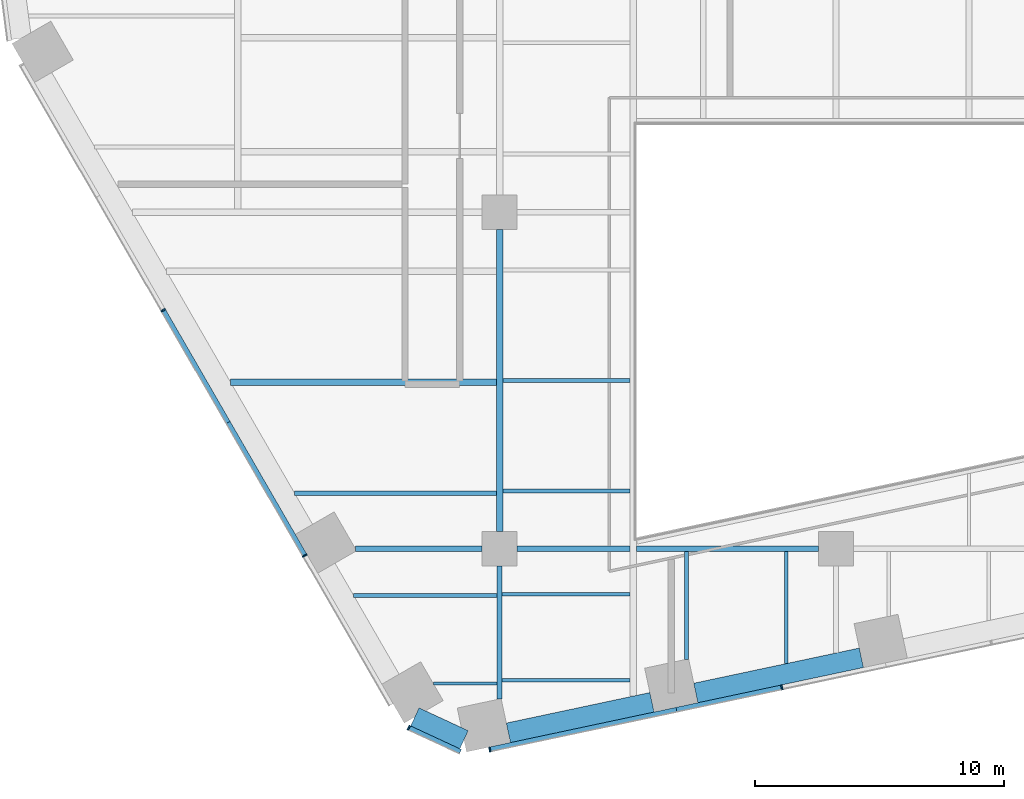
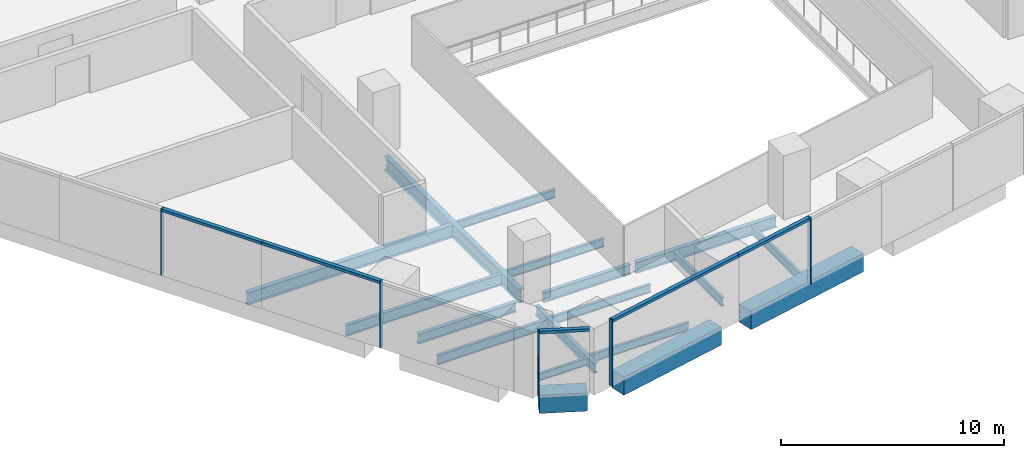
# One storey, part 2 of 20: 18 beams, 10 members, 3 elements without a shape of their own.
"""IFC4 building model written with IfcOpenShell, lengths in metres."""

from ifc_helpers import new_model, si_unit, direction, frame, origin, origin_2d, place, context, subcontext, project, spatial, rectangle, i_section, extrude, material, layer, layer_set, material_profile, profile_set, type_object, element, aggregate, save


model = new_model("IFC4")

# Units and contexts
model_context = context("Model", 3, precision=1e-05, world=origin(), true_north=direction((0.0, 1.0)))
body_context = subcontext(model_context, "Body", "Model", "MODEL_VIEW")
ifc_project = project(units=[si_unit("LENGTHUNIT", "METRE"), si_unit("AREAUNIT", "SQUARE_METRE"), si_unit("VOLUMEUNIT", "CUBIC_METRE"), si_unit("PLANEANGLEUNIT", "RADIAN"), si_unit("MASSUNIT", "GRAM", prefix="KILO")], contexts=[model_context])

# Site, building, storey
site_placement = place(None, origin())
site = spatial("IfcSite", under=ifc_project, at=site_placement, CompositionType="ELEMENT")
building_placement = place(site_placement, origin())
building = spatial("IfcBuilding", under=site, at=building_placement, Name="Isthmus Gate Tower", CompositionType="ELEMENT")
storey_placement = place(building_placement, frame((0.0, 0.0, 57.89990234375)))
storey = spatial("IfcBuildingStorey", under=building, at=storey_placement, Name="L12", CompositionType="ELEMENT", Elevation=57.89990234375)

# Curtain wall, members
ifc_material_1 = material(Name="Aluminium, pale champagne anodised", Category="aluminium")
ifc_layer = layer(ifc_material_1, 0.199951171875)
ifc_layer_set = layer_set([ifc_layer], Name="CW-1 UNITISED CURTAIN WALL 200 DEEP")
curtain_wall_type = type_object("IfcCurtainWallType", Name="CW-1 UNITISED CURTAIN WALL 200 DEEP", PredefinedType="NOTDEFINED", material=ifc_layer_set)
curtain_wall_1_placement = place(storey_placement, origin())
curtain_wall_1 = element("IfcCurtainWall", 1, at=curtain_wall_1_placement, inside=storey, type_object=curtain_wall_type, Name="CW-1 SW L12", PredefinedType="NOTDEFINED")
ifc_material_2 = material(Name="Aluminium, pale champagne anodised", Category="aluminium")
ifc_material_profile_1 = material_profile(ifc_material_2, rectangle(XDim=0.06005859375, YDim=0.199951171875, at=origin_2d()), Name="60x200")
ifc_profile_set_1 = profile_set([ifc_material_profile_1], Name="Aluminium, pale champagne anodised")
member_type_1 = type_object("IfcMemberType", Name="CW-1 MULLION 60 X 200", PredefinedType="MULLION", material=ifc_profile_set_1)
member_1_placement = place(storey_placement, frame((-27.001708984375, -17.431640625, 0.0), z_axis=(0.0, 0.0, 1.0), x_axis=(0.5, -0.866025403784, 0.0)))
member_1 = element("IfcMember", 2, at=member_1_placement, type_object=member_type_1, Name="CW-1 mullion", PredefinedType="MULLION", context=body_context, shape_type="SweptSolid", body=[
    extrude(rectangle(XDim=0.06005859375, YDim=0.199951171875, at=origin_2d()), origin(), (0.0, 0.0, 1.0), 3.650146484375),
])
member_2_placement = place(storey_placement, frame((-21.318115234375, -27.27587890625, 0.0), z_axis=(0.0, 0.0, 1.0), x_axis=(0.5, -0.866025403784, 0.0)))
member_2 = element("IfcMember", 3, at=member_2_placement, type_object=member_type_1, Name="CW-1 mullion", PredefinedType="MULLION", context=body_context, shape_type="SweptSolid", body=[
    extrude(rectangle(XDim=0.06005859375, YDim=0.199951171875, at=origin_2d()), origin(), (0.0, 0.0, 1.0), 3.650146484375),
])

# Curtain wall, member
curtain_wall_2_placement = place(storey_placement, origin())
curtain_wall_2 = element("IfcCurtainWall", 4, at=curtain_wall_2_placement, inside=storey, type_object=curtain_wall_type, Name="CW-1 SW-S L12", PredefinedType="NOTDEFINED")
member_3_placement = place(storey_placement, frame((-17.14794921875, -34.184814453125, 0.0), z_axis=(0.0, 0.0, 1.0), x_axis=(0.907256261367, -0.420578264073, 0.0)))
member_3 = element("IfcMember", 5, at=member_3_placement, type_object=member_type_1, Name="CW-1 mullion", PredefinedType="MULLION", context=body_context, shape_type="SweptSolid", body=[
    extrude(rectangle(XDim=0.06005859375, YDim=0.199951171875, at=origin_2d()), origin(), (0.0, 0.0, 1.0), 3.650146484375),
])

# Curtain wall, members
curtain_wall_3_placement = place(storey_placement, origin())
curtain_wall_3 = element("IfcCurtainWall", 6, at=curtain_wall_3_placement, inside=storey, type_object=curtain_wall_type, Name="CW-1 S L12", PredefinedType="NOTDEFINED")
member_4_placement = place(storey_placement, frame((-13.89501953125, -35.0556640625, 0.0), z_axis=(0.0, 0.0, 1.0), x_axis=(0.978147600734, 0.207911690818, 0.0)))
member_4 = element("IfcMember", 7, at=member_4_placement, type_object=member_type_1, Name="CW-1 mullion", PredefinedType="MULLION", context=body_context, shape_type="SweptSolid", body=[
    extrude(rectangle(XDim=0.06005859375, YDim=0.199951171875, at=origin_2d()), origin(), (0.0, 0.0, 1.0), 3.650146484375),
])
member_5_placement = place(storey_placement, frame((-2.1728515625, -32.564208984375, 0.0), z_axis=(0.0, 0.0, 1.0), x_axis=(0.978147600734, 0.207911690818, 0.0)))
member_5 = element("IfcMember", 8, at=member_5_placement, type_object=member_type_1, Name="CW-1 mullion", PredefinedType="MULLION", context=body_context, shape_type="SweptSolid", body=[
    extrude(rectangle(XDim=0.06005859375, YDim=0.199951171875, at=origin_2d()), origin(), (0.0, 0.0, 1.0), 3.650146484375),
])

# Member
ifc_material_3 = material(Name="Aluminium, pale champagne anodised", Category="aluminium")
ifc_material_profile_2 = material_profile(ifc_material_3, rectangle(XDim=0.199951171875, YDim=0.14990234375, at=origin_2d()), Name="200x150")
ifc_profile_set_2 = profile_set([ifc_material_profile_2], Name="Aluminium, pale champagne anodised")
member_type_2 = type_object("IfcMemberType", Name="CW-1 TRANSOM 200 X 150", PredefinedType="USERDEFINED", material=ifc_profile_set_2)
member_6_placement = place(storey_placement, frame((-26.98681640625, -17.45751953125, 3.5751953125), z_axis=(0.49999612508, -0.866027640959, 0.0), x_axis=(0.866027640959, 0.49999612508, 0.0)))
member_6 = element("IfcMember", 9, at=member_6_placement, type_object=member_type_2, Name="CW-1 transom", ObjectType="TRANSOM", PredefinedType="USERDEFINED", context=body_context, shape_type="SweptSolid", body=[
    extrude(rectangle(XDim=0.199951171875, YDim=0.14990234375, at=origin_2d()), origin(), (0.0, 0.0, 1.0), 5.173828125),
])

member_7_placement = place(storey_placement, frame((-24.39990234375, -21.938232421875, 3.5751953125), z_axis=(0.500017618927, -0.866015231253, 0.0), x_axis=(0.866015231253, 0.500017618927, 0.0)))
member_7 = element("IfcMember", 10, at=member_7_placement, type_object=member_type_2, Name="CW-1 transom", ObjectType="TRANSOM", PredefinedType="USERDEFINED", context=body_context, shape_type="SweptSolid", body=[
    extrude(rectangle(XDim=0.199951171875, YDim=0.14990234375, at=origin_2d()), origin(), (0.0, 0.0, 1.0), 6.133544921875),
])

aggregate(curtain_wall_1, [member_1, member_6, member_7, member_2])

member_8_placement = place(storey_placement, frame((-17.120849609375, -34.197509765625, 3.5751953125), z_axis=(0.907246225564, -0.420599912268, 0.0), x_axis=(0.420599912268, 0.907246225564, 0.0)))
member_8 = element("IfcMember", 11, at=member_8_placement, type_object=member_type_2, Name="CW-1 transom", ObjectType="TRANSOM", PredefinedType="USERDEFINED", context=body_context, shape_type="SweptSolid", body=[
    extrude(rectangle(XDim=0.199951171875, YDim=0.14990234375, at=origin_2d()), origin(), (0.0, 0.0, 1.0), 2.258544921875),
])

aggregate(curtain_wall_2, [member_3, member_8])

member_9_placement = place(storey_placement, frame((-13.86572265625, -35.049560546875, 3.5751953125), z_axis=(0.978149009137, 0.20790506469, 0.0), x_axis=(-0.20790506469, 0.978149009137, 0.0)))
member_9 = element("IfcMember", 12, at=member_9_placement, type_object=member_type_2, Name="CW-1 transom", ObjectType="TRANSOM", PredefinedType="USERDEFINED", context=body_context, shape_type="SweptSolid", body=[
    extrude(rectangle(XDim=0.199951171875, YDim=0.14990234375, at=origin_2d()), origin(), (0.0, 0.0, 1.0), 7.62939453125),
])

member_10_placement = place(storey_placement, frame((-6.403076171875, -33.46337890625, 3.5751953125), z_axis=(0.97813890815, 0.207952582007, 0.0), x_axis=(-0.207952582007, 0.97813890815, 0.0)))
member_10 = element("IfcMember", 13, at=member_10_placement, type_object=member_type_2, Name="CW-1 transom", ObjectType="TRANSOM", PredefinedType="USERDEFINED", context=body_context, shape_type="SweptSolid", body=[
    extrude(rectangle(XDim=0.199951171875, YDim=0.14990234375, at=origin_2d()), origin(), (0.0, 0.0, 1.0), 4.294677734375),
])

aggregate(curtain_wall_3, [member_4, member_9, member_10, member_5])

# Beams
ifc_material_4 = material(Name="Concrete f'c 70 MPa", Category="concrete")
ifc_material_profile_3 = material_profile(ifc_material_4, rectangle(XDim=0.800048828125, YDim=1.0, at=origin_2d()), Name="RC 800X1000")
ifc_profile_set_3 = profile_set([ifc_material_profile_3], Name="Concrete f'c 70 MPa")
beam_type_1 = type_object("IfcBeamType", Name="RC SPANDREL 800 X 1000", PredefinedType="SPANDREL", material=ifc_profile_set_3)
beam_1_placement = place(storey_placement, frame((1.01416015625, -31.37548828125, -0.5), z_axis=(-0.978145779981, -0.207920256603, 0.0), x_axis=(0.207920256603, -0.978145779981, 0.0)))
element("IfcBeam", 14, at=beam_1_placement, inside=storey, type_object=beam_type_1, Name="str-spandrel-L12-12", PredefinedType="SPANDREL", context=body_context, shape_type="SweptSolid", body=[
    extrude(rectangle(XDim=0.800048828125, YDim=1.0, at=origin_2d()), origin(), (0.0, 0.0, 1.0), 6.789306640625),
])
beam_2_placement = place(storey_placement, frame((-7.387451171875, -33.161376953125, -0.5), z_axis=(-0.978149894464, -0.207900899374, 0.0), x_axis=(0.207900899374, -0.978149894464, 0.0)))
element("IfcBeam", 15, at=beam_2_placement, inside=storey, type_object=beam_type_1, Name="str-spandrel-L12-13", PredefinedType="SPANDREL", context=body_context, shape_type="SweptSolid", body=[
    extrude(rectangle(XDim=0.800048828125, YDim=1.0, at=origin_2d()), origin(), (0.0, 0.0, 1.0), 5.88916015625),
])
beam_3_placement = place(storey_placement, frame((-14.929443359375, -34.662109375, -0.5), z_axis=(-0.907290744498, 0.420503870314, 0.0), x_axis=(-0.420503870314, -0.907290744498, 0.0)))
element("IfcBeam", 16, at=beam_3_placement, inside=storey, type_object=beam_type_1, Name="str-spandrel-L12-14", PredefinedType="SPANDREL", context=body_context, shape_type="SweptSolid", body=[
    extrude(rectangle(XDim=0.800048828125, YDim=1.0, at=origin_2d()), origin(), (0.0, 0.0, 1.0), 2.173095703125),
])
ifc_material_5 = material(Name="Structural steel ASTM A992 Gr 50", Category="steel")
ifc_material_profile_4 = material_profile(ifc_material_5, i_section(OverallWidth=0.1396484375, OverallDepth=0.4033203125, WebThickness=0.00634765625, FlangeThickness=0.010986328125, at=origin_2d()), Name="W16X31")
ifc_profile_set_4 = profile_set([ifc_material_profile_4], Name="Structural steel ASTM A992 Gr 50")
beam_type_2 = type_object("IfcBeamType", Name="STEEL FLOOR BEAM W16X31", PredefinedType="JOIST", material=ifc_profile_set_4)
beam_4_placement = place(storey_placement, frame((-16.162353515625, -32.406005859375, -0.3515625), z_axis=(1.0, 0.0, 0.0), x_axis=(0.0, 1.0, 0.0)))
element("IfcBeam", 17, at=beam_4_placement, inside=storey, type_object=beam_type_2, Name="str-beam-L12-09-00", PredefinedType="JOIST", context=body_context, shape_type="SweptSolid", body=[
    extrude(i_section(OverallWidth=0.1396484375, OverallDepth=0.4033203125, WebThickness=0.00634765625, FlangeThickness=0.010986328125, at=origin_2d()), origin(), (0.0, 0.0, 1.0), 2.5576171875),
])
ifc_material_6 = material(Name="Structural steel ASTM A992 Gr 50", Category="steel")
ifc_material_profile_5 = material_profile(ifc_material_6, i_section(OverallWidth=0.15234375, OverallDepth=0.45068359375, WebThickness=0.0078125, FlangeThickness=0.010986328125, at=origin_2d()), Name="W18X35")
ifc_profile_set_5 = profile_set([ifc_material_profile_5], Name="Structural steel ASTM A992 Gr 50")
beam_type_3 = type_object("IfcBeamType", Name="STEEL FLOOR BEAM W18X35", PredefinedType="JOIST", material=ifc_profile_set_5)
for number, where, z_axis, x_axis, name in (
    (18, (-13.395263671875, -32.27197265625, -0.375244140625), (1.0, 0.0, 0.0), (0.0, 1.0, 0.0), "str-beam-L12-10-00"),
    (19, (-13.395263671875, -28.8271484375, -0.375244140625), (1.0, 0.0, 0.0), (0.0, 1.0, 0.0), "str-beam-L12-10-01"),
):
    element("IfcBeam", number, at=place(storey_placement, frame(where, z_axis=z_axis, x_axis=x_axis)), inside=storey, type_object=beam_type_3, Name=name, PredefinedType="JOIST", context=body_context, shape_type="SweptSolid", body=[
        extrude(i_section(OverallWidth=0.15234375, OverallDepth=0.45068359375, WebThickness=0.0078125, FlangeThickness=0.010986328125, at=origin_2d()), origin(), (0.0, 0.0, 1.0), 5.128662109375),
    ])
for number, where, z_axis, x_axis, name in (
    (20, (-13.3681640625, -24.68017578125, -0.375244140625), (1.0, 0.0, 0.0), (0.0, 1.0, 0.0), "str-beam-L12-12-00"),
    (21, (-13.3681640625, -20.25, -0.375244140625), (1.0, 0.0, 0.0), (0.0, 1.0, 0.0), "str-beam-L12-12-01"),
):
    element("IfcBeam", number, at=place(storey_placement, frame(where, z_axis=z_axis, x_axis=x_axis)), inside=storey, type_object=beam_type_3, Name=name, PredefinedType="JOIST", context=body_context, shape_type="SweptSolid", body=[
        extrude(i_section(OverallWidth=0.15234375, OverallDepth=0.45068359375, WebThickness=0.0078125, FlangeThickness=0.010986328125, at=origin_2d()), origin(), (0.0, 0.0, 1.0), 5.1015625),
    ])
beam_5_placement = place(storey_placement, frame((-6.0, -31.43505859375, -0.375244140625), z_axis=(0.0, 1.0, 0.0), x_axis=(-1.0, 0.0, 0.0)))
element("IfcBeam", 22, at=beam_5_placement, inside=storey, type_object=beam_type_3, Name="str-beam-L12-15-00", PredefinedType="JOIST", context=body_context, shape_type="SweptSolid", body=[
    extrude(i_section(OverallWidth=0.15234375, OverallDepth=0.45068359375, WebThickness=0.0078125, FlangeThickness=0.010986328125, at=origin_2d()), origin(), (0.0, 0.0, 1.0), 4.32080078125),
])
beam_6_placement = place(storey_placement, frame((-2.0, -31.607177734375, -0.375244140625), z_axis=(0.0, 1.0, 0.0), x_axis=(-1.0, 0.0, 0.0)))
element("IfcBeam", 23, at=beam_6_placement, inside=storey, type_object=beam_type_3, Name="str-beam-L12-15-01", PredefinedType="JOIST", context=body_context, shape_type="SweptSolid", body=[
    extrude(i_section(OverallWidth=0.15234375, OverallDepth=0.45068359375, WebThickness=0.0078125, FlangeThickness=0.010986328125, at=origin_2d()), origin(), (0.0, 0.0, 1.0), 4.492919921875),
])
ifc_material_7 = material(Name="Structural steel ASTM A992 Gr 50", Category="steel")
ifc_material_profile_6 = material_profile(ifc_material_7, i_section(OverallWidth=0.1650390625, OverallDepth=0.52392578125, WebThickness=0.009521484375, FlangeThickness=0.010986328125, at=origin_2d()), Name="W21X44")
ifc_profile_set_6 = profile_set([ifc_material_profile_6], Name="Structural steel ASTM A992 Gr 50")
beam_type_4 = type_object("IfcBeamType", Name="STEEL FLOOR BEAM W21X44", PredefinedType="JOIST", material=ifc_profile_set_6)
beam_7_placement = place(storey_placement, frame((-19.357421875, -28.871826171875, -0.411865234375), z_axis=(1.0, 0.0, 0.0), x_axis=(0.0, 1.0, 0.0)))
element("IfcBeam", 24, at=beam_7_placement, inside=storey, type_object=beam_type_4, Name="str-beam-L12-09-01", PredefinedType="JOIST", context=body_context, shape_type="SweptSolid", body=[
    extrude(i_section(OverallWidth=0.1650390625, OverallDepth=0.52392578125, WebThickness=0.009521484375, FlangeThickness=0.010986328125, at=origin_2d()), origin(), (0.0, 0.0, 1.0), 5.752685546875),
])
ifc_material_8 = material(Name="Structural steel ASTM A992 Gr 50", Category="steel")
ifc_material_profile_7 = material_profile(ifc_material_8, i_section(OverallWidth=0.177734375, OverallDepth=0.60009765625, WebThickness=0.009521484375, FlangeThickness=0.0126953125, at=origin_2d()), Name="W24X55")
ifc_profile_set_7 = profile_set([ifc_material_profile_7], Name="Structural steel ASTM A992 Gr 50")
beam_type_5 = type_object("IfcBeamType", Name="STEEL FLOOR BEAM W24X55", PredefinedType="JOIST", material=ifc_profile_set_7)
beam_8_placement = place(storey_placement, frame((-21.724365234375, -24.772216796875, -0.449951171875), z_axis=(1.0, 0.0, 0.0), x_axis=(0.0, 1.0, 0.0)))
element("IfcBeam", 25, at=beam_8_placement, inside=storey, type_object=beam_type_5, Name="str-beam-L12-05-00", PredefinedType="JOIST", context=body_context, shape_type="SweptSolid", body=[
    extrude(i_section(OverallWidth=0.177734375, OverallDepth=0.60009765625, WebThickness=0.009521484375, FlangeThickness=0.0126953125, at=origin_2d()), origin(), (0.0, 0.0, 1.0), 8.092529296875),
])
ifc_material_9 = material(Name="Structural steel ASTM A992 Gr 50", Category="steel")
ifc_material_profile_8 = material_profile(ifc_material_9, i_section(OverallWidth=0.25390625, OverallDepth=0.679443359375, WebThickness=0.010986328125, FlangeThickness=0.015869140625, at=origin_2d()), Name="W27X84")
ifc_profile_set_8 = profile_set([ifc_material_profile_8], Name="Structural steel ASTM A992 Gr 50")
beam_type_6 = type_object("IfcBeamType", Name="STEEL FLOOR BEAM W27X84", PredefinedType="JOIST", material=ifc_profile_set_8)
beam_9_placement = place(storey_placement, frame((-24.296875, -20.316650390625, -0.489501953125), z_axis=(1.0, 0.0, 0.0), x_axis=(0.0, 1.0, 0.0)))
element("IfcBeam", 26, at=beam_9_placement, inside=storey, type_object=beam_type_6, Name="str-beam-L12-05-01", PredefinedType="JOIST", context=body_context, shape_type="SweptSolid", body=[
    extrude(i_section(OverallWidth=0.25390625, OverallDepth=0.679443359375, WebThickness=0.010986328125, FlangeThickness=0.015869140625, at=origin_2d()), origin(), (0.0, 0.0, 1.0), 10.6650390625),
])
ifc_material_10 = material(Name="Structural steel ASTM A992 Gr 50", Category="steel")
ifc_material_profile_9 = material_profile(ifc_material_10, i_section(OverallWidth=0.20947265625, OverallDepth=0.533447265625, WebThickness=0.009521484375, FlangeThickness=0.015869140625, at=origin_2d()), Name="W21X62")
ifc_profile_set_9 = profile_set([ifc_material_profile_9], Name="Structural steel ASTM A992 Gr 50")
beam_type_7 = type_object("IfcBeamType", Name="STEEL GIRDER W21X62", PredefinedType="BEAM", material=ifc_profile_set_9)
beam_10_placement = place(storey_placement, frame((-19.283447265625, -27.0, -0.41650390625), z_axis=(1.0, 0.0, 0.0), x_axis=(0.0, 1.0, 0.0)))
element("IfcBeam", 27, at=beam_10_placement, inside=storey, type_object=beam_type_7, Name="str-girder-L12-01", PredefinedType="BEAM", context=body_context, shape_type="SweptSolid", body=[
    extrude(i_section(OverallWidth=0.20947265625, OverallDepth=0.533447265625, WebThickness=0.009521484375, FlangeThickness=0.015869140625, at=origin_2d()), origin(), (0.0, 0.0, 1.0), 5.08349609375),
])
beam_11_placement = place(storey_placement, frame((-12.800048828125, -27.0, -0.41650390625), z_axis=(1.0, 0.0, 0.0), x_axis=(0.0, 1.0, 0.0)))
element("IfcBeam", 28, at=beam_11_placement, inside=storey, type_object=beam_type_7, Name="str-girder-L12-02", PredefinedType="BEAM", context=body_context, shape_type="SweptSolid", body=[
    extrude(i_section(OverallWidth=0.20947265625, OverallDepth=0.533447265625, WebThickness=0.009521484375, FlangeThickness=0.015869140625, at=origin_2d()), origin(), (0.0, 0.0, 1.0), 4.533447265625),
])
beam_12_placement = place(storey_placement, frame((-13.5, -33.029296875, -0.41650390625), z_axis=(0.0, 1.0, 0.0), x_axis=(-1.0, 0.0, 0.0)))
element("IfcBeam", 29, at=beam_12_placement, inside=storey, type_object=beam_type_7, Name="str-girder-L12-23", PredefinedType="BEAM", context=body_context, shape_type="SweptSolid", body=[
    extrude(i_section(OverallWidth=0.20947265625, OverallDepth=0.533447265625, WebThickness=0.009521484375, FlangeThickness=0.015869140625, at=origin_2d()), origin(), (0.0, 0.0, 1.0), 5.329345703125),
])
ifc_material_11 = material(Name="Structural steel ASTM A992 Gr 50", Category="steel")
ifc_material_profile_10 = material_profile(ifc_material_11, i_section(OverallWidth=0.228515625, OverallDepth=0.603271484375, WebThickness=0.010986328125, FlangeThickness=0.014404296875, at=origin_2d()), Name="W24X68")
ifc_profile_set_10 = profile_set([ifc_material_profile_10], Name="Structural steel ASTM A992 Gr 50")
beam_type_8 = type_object("IfcBeamType", Name="STEEL GIRDER W24X68", PredefinedType="BEAM", material=ifc_profile_set_10)
beam_13_placement = place(storey_placement, frame((-8.0, -27.0, -0.451416015625), z_axis=(1.0, 0.0, 0.0), x_axis=(0.0, 1.0, 0.0)))
element("IfcBeam", 30, at=beam_13_placement, inside=storey, type_object=beam_type_8, Name="str-girder-L12-03", PredefinedType="BEAM", context=body_context, shape_type="SweptSolid", body=[
    extrude(i_section(OverallWidth=0.228515625, OverallDepth=0.603271484375, WebThickness=0.010986328125, FlangeThickness=0.014404296875, at=origin_2d()), origin(), (0.0, 0.0, 1.0), 7.300048828125),
])
ifc_material_12 = material(Name="Structural steel ASTM A992 Gr 50", Category="steel")
ifc_material_profile_11 = material_profile(ifc_material_12, i_section(OverallWidth=0.263427734375, OverallDepth=0.749267578125, WebThickness=0.0126953125, FlangeThickness=0.015869140625, at=origin_2d()), Name="W30X90")
ifc_profile_set_11 = profile_set([ifc_material_profile_11], Name="Structural steel ASTM A992 Gr 50")
beam_type_9 = type_object("IfcBeamType", Name="STEEL GIRDER W30X90", PredefinedType="BEAM", material=ifc_profile_set_11)
beam_14_placement = place(storey_placement, frame((-13.5, -26.300048828125, -0.524658203125), z_axis=(0.0, 1.0, 0.0), x_axis=(-1.0, 0.0, 0.0)))
element("IfcBeam", 31, at=beam_14_placement, inside=storey, type_object=beam_type_9, Name="str-girder-L12-24", PredefinedType="BEAM", context=body_context, shape_type="SweptSolid", body=[
    extrude(i_section(OverallWidth=0.263427734375, OverallDepth=0.749267578125, WebThickness=0.0126953125, FlangeThickness=0.015869140625, at=origin_2d()), origin(), (0.0, 0.0, 1.0), 12.10009765625),
])

save(model, "model.ifc")
